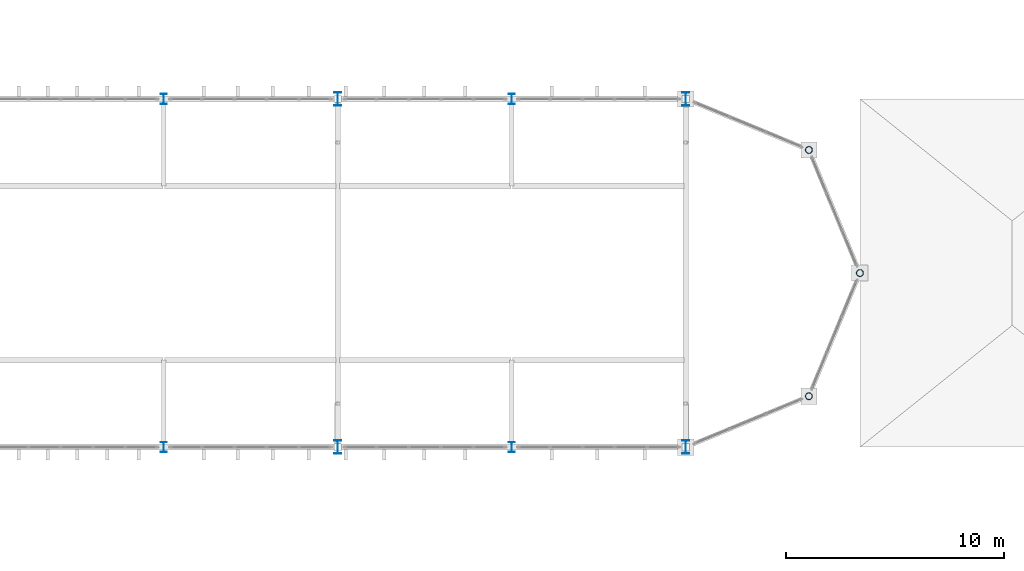
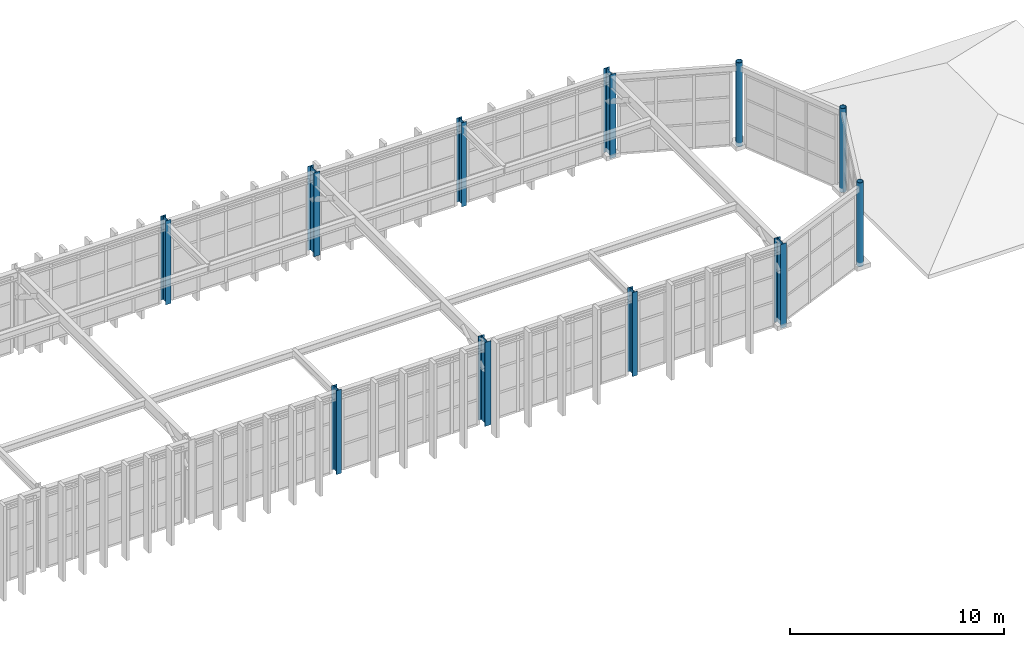
# One storey, part 9 of 61: 11 columns.
"""IFC4 building model written with IfcOpenShell, lengths in metres."""

from ifc_helpers import new_model, si_unit, direction, frame, origin, origin_2d, place, context, subcontext, project, spatial, hollow_circle, i_section, extrude, material, material_profile, profile_set, type_object, element, save


model = new_model("IFC4")

# Units and contexts
model_context = context("Model", 3, precision=1e-05, world=origin(), true_north=direction((0.0, 1.0)))
body_context = subcontext(model_context, "Body", "Model", "MODEL_VIEW")
ifc_project = project(units=[si_unit("LENGTHUNIT", "METRE"), si_unit("AREAUNIT", "SQUARE_METRE"), si_unit("VOLUMEUNIT", "CUBIC_METRE"), si_unit("PLANEANGLEUNIT", "RADIAN"), si_unit("MASSUNIT", "GRAM", prefix="KILO")], contexts=[model_context])

# Site, building, storey
site_placement = place(None, origin())
site = spatial("IfcSite", under=ifc_project, at=site_placement, CompositionType="ELEMENT")
building_placement = place(site_placement, origin())
building = spatial("IfcBuilding", under=site, at=building_placement, Name="Serraluz Foothill Cableway Terminal", CompositionType="ELEMENT")
storey_placement = place(building_placement, frame((0.0, 0.0, 15.0)))
storey = spatial("IfcBuildingStorey", under=building, at=storey_placement, Name="L03", CompositionType="ELEMENT", Elevation=15.0)

# Columns
ifc_material_1 = material(Name="Steel ASTM A572 Grade 50", Category="steel")
ifc_material_profile_1 = material_profile(ifc_material_1, hollow_circle(Radius=0.161865234375, WallThickness=0.01611328125, at=origin_2d()), Name="CHS324X16")
ifc_profile_set_1 = profile_set([ifc_material_profile_1], Name="Steel ASTM A572 Grade 50")
column_type_1 = type_object("IfcColumnType", Name="TYP-COL-CHS324", PredefinedType="COLUMN", material=ifc_profile_set_1)
for number, where, z_axis, x_axis, name in (
    (1, (157.656982421875, 58.343017578125, 0.0), (0.0, 0.0, 1.0), (1.0, 0.0, 0.0), "Column COL-V1-ARC-E1-L03"),
    (2, (160.0, 64.0, 0.0), (0.0, 0.0, 1.0), (1.0, 0.0, 0.0), "Column COL-V1-ARC-E2-L03"),
    (3, (157.656982421875, 69.656982421875, 0.0), (0.0, 0.0, 1.0), (1.0, 0.0, 0.0), "Column COL-V1-ARC-E3-L03"),
):
    element("IfcColumn", number, at=place(storey_placement, frame(where, z_axis=z_axis, x_axis=x_axis)), inside=storey, type_object=column_type_1, Name=name, PredefinedType="COLUMN", context=body_context, shape_type="SweptSolid", body=[
        extrude(hollow_circle(Radius=0.161865234375, WallThickness=0.01611328125, at=origin_2d()), origin(), (0.0, 0.0, 1.0), 4.800048828125),
    ])
ifc_material_2 = material(Name="Steel ASTM A992 Grade 50", Category="steel")
ifc_material_profile_2 = material_profile(ifc_material_2, i_section(OverallWidth=0.282958984375, OverallDepth=0.471923828125, WebThickness=0.013671875, FlangeThickness=0.022216796875, FilletRadius=0.014892578125, at=origin_2d()), Name="W18X97")
ifc_profile_set_2 = profile_set([ifc_material_profile_2], Name="Steel ASTM A992 Grade 50")
column_type_2 = type_object("IfcColumnType", Name="TYP-COL-W18X97", PredefinedType="COLUMN", material=ifc_profile_set_2)
for number, where, z_axis, x_axis, name in (
    (4, (128.0, 56.0, 0.0), (0.0, 0.0, 1.0), (1.0, 0.0, 0.0), "Column COL-V1-S-128-L03"),
    (5, (128.0, 72.0, 0.0), (0.0, 0.0, 1.0), (1.0, 0.0, 0.0), "Column COL-V1-N-128-L03"),
    (6, (144.0, 56.0, 0.0), (0.0, 0.0, 1.0), (1.0, 0.0, 0.0), "Column COL-V1-S-144-L03"),
    (7, (144.0, 72.0, 0.0), (0.0, 0.0, 1.0), (1.0, 0.0, 0.0), "Column COL-V1-N-144-L03"),
):
    element("IfcColumn", number, at=place(storey_placement, frame(where, z_axis=z_axis, x_axis=x_axis)), inside=storey, type_object=column_type_2, Name=name, PredefinedType="COLUMN", context=body_context, shape_type="SweptSolid", body=[
        extrude(i_section(OverallWidth=0.282958984375, OverallDepth=0.471923828125, WebThickness=0.013671875, FlangeThickness=0.022216796875, FilletRadius=0.014892578125, at=origin_2d()), origin(), (0.0, 0.0, 1.0), 4.800048828125),
    ])
ifc_material_profile_3 = material_profile(ifc_material_2, i_section(OverallWidth=0.324951171875, OverallDepth=0.615966796875, WebThickness=0.013916015625, FlangeThickness=0.021484375, FilletRadius=0.01806640625, at=origin_2d()), Name="W24X117")
ifc_profile_set_3 = profile_set([ifc_material_profile_3], Name="Steel ASTM A992 Grade 50")
column_type_3 = type_object("IfcColumnType", Name="TYP-COL-W24X117", PredefinedType="COLUMN", material=ifc_profile_set_3)
for number, where, z_axis, x_axis, name in (
    (8, (136.0, 56.0, 0.0), (0.0, 0.0, 1.0), (1.0, 0.0, 0.0), "Column COL-V1-S-136-L03"),
    (9, (136.0, 72.0, 0.0), (0.0, 0.0, 1.0), (1.0, 0.0, 0.0), "Column COL-V1-N-136-L03"),
    (10, (152.0, 56.0, 0.0), (0.0, 0.0, 1.0), (1.0, 0.0, 0.0), "Column COL-V1-S-152-L03"),
    (11, (152.0, 72.0, 0.0), (0.0, 0.0, 1.0), (1.0, 0.0, 0.0), "Column COL-V1-N-152-L03"),
):
    element("IfcColumn", number, at=place(storey_placement, frame(where, z_axis=z_axis, x_axis=x_axis)), inside=storey, type_object=column_type_3, Name=name, PredefinedType="COLUMN", context=body_context, shape_type="SweptSolid", body=[
        extrude(i_section(OverallWidth=0.324951171875, OverallDepth=0.615966796875, WebThickness=0.013916015625, FlangeThickness=0.021484375, FilletRadius=0.01806640625, at=origin_2d()), origin(), (0.0, 0.0, 1.0), 4.800048828125),
    ])

save(model, "model.ifc")
